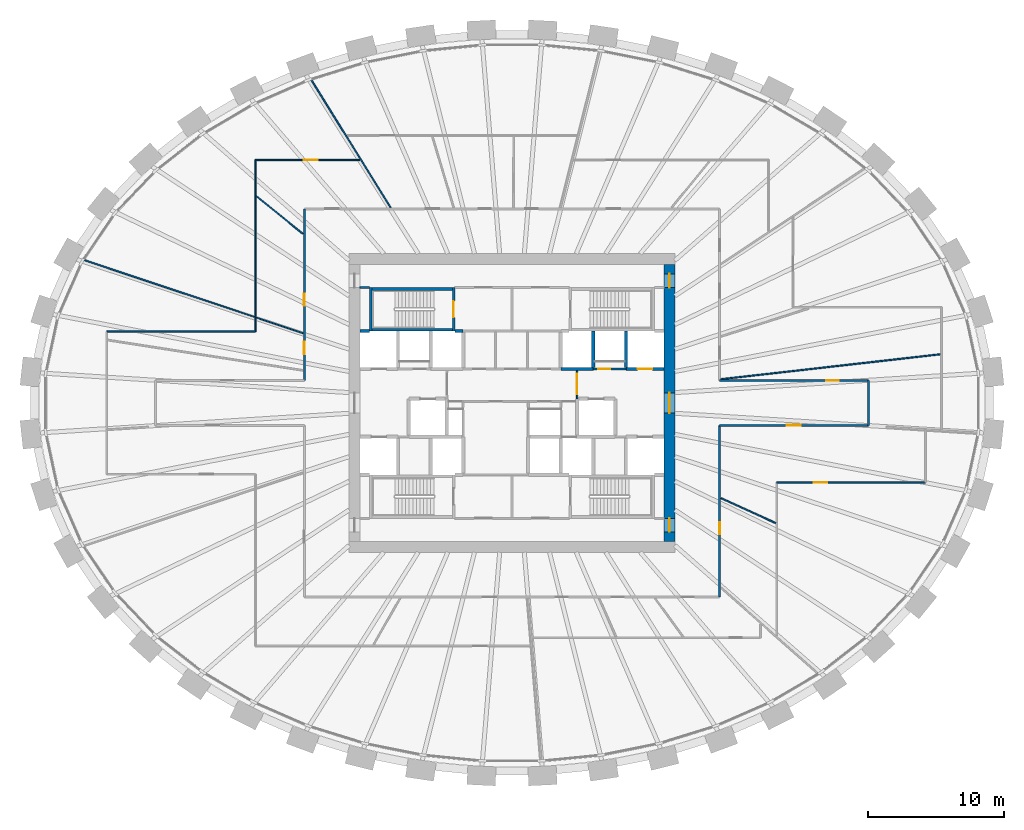
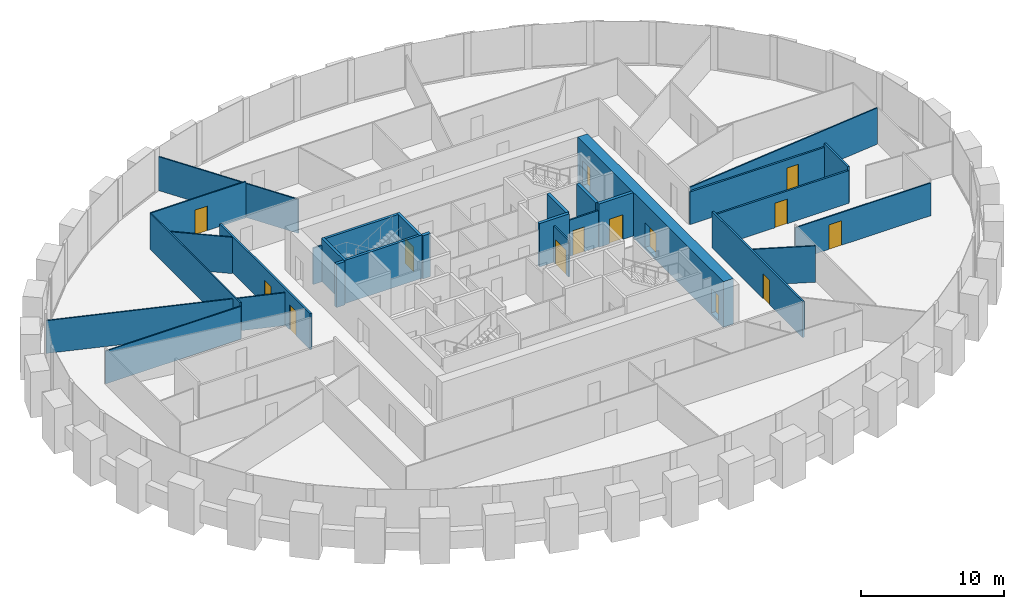
# One storey, part 8 of 11: 28 walls, 14 doors, 14 openings.
"""IFC4 building model written with IfcOpenShell, lengths in metres."""

from ifc_helpers import new_model, si_unit, direction, frame, frame_2d, origin, place, context, subcontext, project, spatial, rectangle, extrude, source, transform, mapped, material, layer, layer_set, type_object, element, fill, save


model = new_model("IFC4")

# Units and contexts
model_context = context("Model", 3, precision=1e-05, world=origin(), true_north=direction((0.0, 1.0)))
body_context = subcontext(model_context, "Body", "Model", "MODEL_VIEW")
ifc_project = project(units=[si_unit("LENGTHUNIT", "METRE"), si_unit("AREAUNIT", "SQUARE_METRE"), si_unit("VOLUMEUNIT", "CUBIC_METRE"), si_unit("PLANEANGLEUNIT", "RADIAN"), si_unit("MASSUNIT", "GRAM", prefix="KILO")], contexts=[model_context])

# Site, building, storey
site_placement = place(None, origin())
site = spatial("IfcSite", under=ifc_project, at=site_placement, CompositionType="ELEMENT")
building_placement = place(site_placement, origin())
building = spatial("IfcBuilding", under=site, at=building_placement, Name="Embergate Tower", CompositionType="ELEMENT")
storey_placement = place(building_placement, frame((0.0, 0.0, 215.10009765625)))
storey = spatial("IfcBuildingStorey", under=building, at=storey_placement, Name="L49", CompositionType="ELEMENT", Elevation=215.10009765625)

# Wall, openings, doors
ifc_material_1 = material(Name="Concrete C70", Category="concrete")
ifc_layer_1 = layer(ifc_material_1, 0.800048828125)
ifc_layer_set_1 = layer_set([ifc_layer_1], Name="Concrete C70")
wall_type_1 = type_object("IfcWallType", Name="Core outer wall C70 800", PredefinedType="SHEAR", material=ifc_layer_set_1)
shared_shape_1 = source(origin(), body_context, "Body", "SweptSolid", [
    extrude(rectangle(XDim=20.39990234375, YDim=0.800048828125, at=frame_2d((10.199951171875, 0.0))), origin(), (0.0, 0.0, 1.0), 3.900146484375),
])
wall_1_placement = place(storey_placement, frame((11.60009765625, -10.199951171875, -0.2001953125), z_axis=(0.0, 0.0, 1.0), x_axis=(0.0, 1.0, 0.0)))
wall_1 = element("IfcWall", 1, at=wall_1_placement, inside=storey, type_object=wall_type_1, Name="CW-L49-E", PredefinedType="SHEAR", context=body_context, shape_type="MappedRepresentation", body=[
    mapped(shared_shape_1, transform((0.0, 0.0, 0.0))),
])
shared_shape_2 = source(origin(), body_context, "Body", "SweptSolid", [
    extrude(rectangle(XDim=1.0, YDim=2.10009765625, at=frame_2d((0.5, 1.050048828125))), frame((0.0, 0.409912109375, 0.0), z_axis=(0.0, -1.0, 0.0), x_axis=(1.0, 0.0, 0.0)), (0.0, 0.0, 1.0), 0.820068359375),
])
opening_1_placement = place(wall_1_placement, frame((18.699951171875, 0.0, 0.199951171875)))
opening_1 = element("IfcOpeningElement", 2, at=opening_1_placement, cuts=wall_1, Name="Opening IF-1d", PredefinedType="OPENING", context=body_context, shape_type="MappedRepresentation", body=[
    mapped(shared_shape_2, transform((0.0, 0.0, 0.0))),
])
opening_2_placement = place(wall_1_placement, frame((0.699951171875, 0.0, 0.199951171875)))
opening_2 = element("IfcOpeningElement", 3, at=opening_2_placement, cuts=wall_1, Name="Opening IF-1d", PredefinedType="OPENING", context=body_context, shape_type="MappedRepresentation", body=[
    mapped(shared_shape_2, transform((0.0, 0.0, 0.0))),
])
shared_shape_3 = source(origin(), body_context, "Body", "SweptSolid", [
    extrude(rectangle(XDim=1.5, YDim=2.10009765625, at=frame_2d((0.75, 1.050048828125))), frame((0.0, 0.409912109375, 0.0), z_axis=(0.0, -1.0, 0.0), x_axis=(1.0, 0.0, 0.0)), (0.0, 0.0, 1.0), 0.820068359375),
])
opening_3_placement = place(wall_1_placement, frame((9.449951171875, 0.0, 0.199951171875)))
opening_3 = element("IfcOpeningElement", 4, at=opening_3_placement, cuts=wall_1, Name="Opening IF-3", PredefinedType="OPENING", context=body_context, shape_type="MappedRepresentation", body=[
    mapped(shared_shape_3, transform((0.0, 0.0, 0.0))),
])
ifc_material_2 = material(Name="Lobby fire door pair 1500")
door_type_1 = type_object("IfcDoorType", Name="Lobby fire door pair 1500", OperationType="DOUBLE_DOOR_SINGLE_SWING", PredefinedType="DOOR", material=ifc_material_2)
shared_shape_4 = source(origin(), body_context, "Body", "SweptSolid", [
    extrude(rectangle(XDim=1.5, YDim=2.10009765625, at=frame_2d((0.75, 1.050048828125))), frame((0.0, 0.02490234375, 0.0), z_axis=(0.0, -1.0, 0.0), x_axis=(1.0, 0.0, 0.0)), (0.0, 0.0, 1.0), 0.050048828125),
])
door_1_placement = place(opening_3_placement, origin())
door_1 = element("IfcDoor", 5, at=door_1_placement, inside=storey, type_object=door_type_1, Name="IF-3 door", OperationType="DOUBLE_DOOR_SINGLE_SWING", OverallHeight=2.10009765625, OverallWidth=1.5, PredefinedType="DOOR", context=body_context, shape_type="MappedRepresentation", body=[
    mapped(shared_shape_4, transform((0.0, 0.0, 0.0))),
])
fill(opening_3, door_1)
ifc_material_3 = material(Name="Escape fire door 1000")
door_type_2 = type_object("IfcDoorType", Name="Escape fire door 1000", OperationType="SINGLE_SWING_LEFT", PredefinedType="DOOR", material=ifc_material_3)
shared_shape_5 = source(origin(), body_context, "Body", "SweptSolid", [
    extrude(rectangle(XDim=1.0, YDim=2.10009765625, at=frame_2d((0.5, 1.050048828125))), frame((0.0, 0.02490234375, 0.0), z_axis=(0.0, -1.0, 0.0), x_axis=(1.0, 0.0, 0.0)), (0.0, 0.0, 1.0), 0.050048828125),
])
door_2_placement = place(opening_1_placement, origin())
door_2 = element("IfcDoor", 6, at=door_2_placement, inside=storey, type_object=door_type_2, Name="IF-1 door", OperationType="SINGLE_SWING_RIGHT", OverallHeight=2.10009765625, OverallWidth=1.0, PredefinedType="DOOR", context=body_context, shape_type="MappedRepresentation", body=[
    mapped(shared_shape_5, transform((0.0, 0.0, 0.0))),
])
fill(opening_1, door_2)
door_3_placement = place(opening_2_placement, origin())
door_3 = element("IfcDoor", 7, at=door_3_placement, inside=storey, type_object=door_type_2, Name="IF-1 door", OperationType="SINGLE_SWING_RIGHT", OverallHeight=2.10009765625, OverallWidth=1.0, PredefinedType="DOOR", context=body_context, shape_type="MappedRepresentation", body=[
    mapped(shared_shape_5, transform((0.0, 0.0, 0.0))),
])
fill(opening_2, door_3)

# Walls
ifc_material_4 = material(Name="Concrete C50", Category="concrete")
ifc_layer_2 = layer(ifc_material_4, 0.25)
ifc_layer_set_2 = layer_set([ifc_layer_2], Name="Concrete C50")
wall_type_2 = type_object("IfcWallType", Name="Hoistway wall reinforced concrete 250", PredefinedType="SHEAR", material=ifc_layer_set_2)
shared_shape_6 = source(origin(), body_context, "Body", "SweptSolid", [
    extrude(rectangle(XDim=2.675048828125, YDim=0.25, at=frame_2d((1.33740234375, 0.0))), origin(), (0.0, 0.0, 1.0), 3.699951171875),
])
for number, where, z_axis, x_axis, name in (
    (8, (6.0, 2.625, 0.0), (0.0, 0.0, 1.0), (0.0, 1.0, 0.0), "HW-1 wall"),
    (9, (8.39990234375, 2.625, 0.0), (0.0, 0.0, 1.0), (0.0, 1.0, 0.0), "HW-1 wall"),
):
    element("IfcWall", number, at=place(storey_placement, frame(where, z_axis=z_axis, x_axis=x_axis)), inside=storey, type_object=wall_type_2, Name=name, PredefinedType="SHEAR", context=body_context, shape_type="MappedRepresentation", body=[
        mapped(shared_shape_6, transform((0.0, 0.0, 0.0))),
    ])
ifc_layer_3 = layer(ifc_material_4, 0.199951171875)
ifc_layer_set_3 = layer_set([ifc_layer_3], Name="Concrete C50")
wall_type_3 = type_object("IfcWallType", Name="Stair enclosure wall reinforced concrete 250", PredefinedType="SHEAR", material=ifc_layer_set_3)
shared_shape_7 = source(origin(), body_context, "Body", "SweptSolid", [
    extrude(rectangle(XDim=6.300048828125, YDim=0.199951171875, at=frame_2d((3.14990234375, 0.0))), origin(), (0.0, 0.0, 1.0), 3.699951171875),
])
for number, where, z_axis, x_axis, name in (
    (10, (-4.199951171875, 5.39990234375, 0.0), (0.0, 0.0, 1.0), (-1.0, 0.0, 0.0), "SE-1 wall"),
    (11, (-4.199951171875, 8.39990234375, 0.0), (0.0, 0.0, 1.0), (-1.0, 0.0, 0.0), "SE-1 wall"),
):
    element("IfcWall", number, at=place(storey_placement, frame(where, z_axis=z_axis, x_axis=x_axis)), inside=storey, type_object=wall_type_3, Name=name, PredefinedType="SHEAR", context=body_context, shape_type="MappedRepresentation", body=[
        mapped(shared_shape_7, transform((0.0, 0.0, 0.0))),
    ])

# Wall, opening, door
shared_shape_8 = source(origin(), body_context, "Body", "SweptSolid", [
    extrude(rectangle(XDim=3.199951171875, YDim=0.199951171875, at=frame_2d((1.60009765625, 0.0))), origin(), (0.0, 0.0, 1.0), 3.699951171875),
])
wall_2_placement = place(storey_placement, frame((-4.300048828125, 5.300048828125, 0.0), z_axis=(0.0, 0.0, 1.0), x_axis=(0.0, 1.0, 0.0)))
wall_2 = element("IfcWall", 12, at=wall_2_placement, inside=storey, type_object=wall_type_3, Name="SE-1 wall", PredefinedType="SHEAR", context=body_context, shape_type="MappedRepresentation", body=[
    mapped(shared_shape_8, transform((0.0, 0.0, 0.0))),
])
shared_shape_9 = source(origin(), body_context, "Body", "SweptSolid", [
    extrude(rectangle(XDim=1.199951171875, YDim=2.10009765625, at=frame_2d((0.60009765625, 1.050048828125))), frame((0.0, 0.10986328125, 0.0), z_axis=(0.0, -1.0, 0.0), x_axis=(1.0, 0.0, 0.0)), (0.0, 0.0, 1.0), 0.219970703125),
])
opening_4_placement = place(wall_2_placement, frame((1.0, 0.0, 0.0)))
opening_4 = element("IfcOpeningElement", 13, at=opening_4_placement, cuts=wall_2, Name="Opening IF-2", PredefinedType="OPENING", context=body_context, shape_type="MappedRepresentation", body=[
    mapped(shared_shape_9, transform((0.0, 0.0, 0.0))),
])
ifc_material_5 = material(Name="Stair enclosure door 1200")
door_type_3 = type_object("IfcDoorType", Name="Stair enclosure door 1200", OperationType="SINGLE_SWING_LEFT", PredefinedType="DOOR", material=ifc_material_5)
shared_shape_10 = source(origin(), body_context, "Body", "SweptSolid", [
    extrude(rectangle(XDim=1.199951171875, YDim=2.10009765625, at=frame_2d((0.60009765625, 1.050048828125))), frame((0.0, 0.02490234375, 0.0), z_axis=(0.0, -1.0, 0.0), x_axis=(1.0, 0.0, 0.0)), (0.0, 0.0, 1.0), 0.050048828125),
])
door_4_placement = place(opening_4_placement, origin())
door_4 = element("IfcDoor", 14, at=door_4_placement, inside=storey, type_object=door_type_3, Name="IF-2 door", OperationType="SINGLE_SWING_LEFT", OverallHeight=2.10009765625, OverallWidth=1.199951171875, PredefinedType="DOOR", context=body_context, shape_type="MappedRepresentation", body=[
    mapped(shared_shape_10, transform((0.0, 0.0, 0.0))),
])
fill(opening_4, door_4)

# Wall
shared_shape_11 = source(origin(), body_context, "Body", "SweptSolid", [
    extrude(rectangle(XDim=2.39990234375, YDim=0.25, at=frame_2d((1.199951171875, 0.0))), origin(), (0.0, 0.0, 1.0), 3.699951171875),
])
wall_3_placement = place(storey_placement, frame((3.60009765625, 2.5, 0.0), z_axis=(0.0, 0.0, 1.0), x_axis=(1.0, 0.0, 0.0)))
element("IfcWall", 15, at=wall_3_placement, inside=storey, type_object=wall_type_2, Name="HW-1 wall", PredefinedType="SHEAR", context=body_context, shape_type="MappedRepresentation", body=[
    mapped(shared_shape_11, transform((0.0, 0.0, 0.0))),
])

# Wall, opening, door
ifc_material_6 = material(Name="Core partition blockwork 120")
ifc_layer_4 = layer(ifc_material_6, 0.1201171875)
ifc_layer_set_4 = layer_set([ifc_layer_4], Name="Core partition blockwork 120")
wall_type_4 = type_object("IfcWallType", Name="Core partition blockwork 120", PredefinedType="PARTITIONING", material=ifc_layer_set_4)
shared_shape_12 = source(origin(), body_context, "Body", "SweptSolid", [
    extrude(rectangle(XDim=2.074951171875, YDim=0.1201171875, at=frame_2d((1.03759765625, 0.0))), origin(), (0.0, 0.0, 1.0), 3.099853515625),
])
wall_4_placement = place(storey_placement, frame((4.800048828125, 0.300048828125, 0.0), z_axis=(0.0, 0.0, 1.0), x_axis=(0.0, 1.0, 0.0)))
wall_4 = element("IfcWall", 16, at=wall_4_placement, inside=storey, type_object=wall_type_4, Name="IP-3 wall", PredefinedType="PARTITIONING", context=body_context, shape_type="MappedRepresentation", body=[
    mapped(shared_shape_12, transform((0.0, 0.0, 0.0))),
])
shared_shape_13 = source(origin(), body_context, "Body", "SweptSolid", [
    extrude(rectangle(XDim=1.5, YDim=2.10009765625, at=frame_2d((0.75, 1.050048828125))), frame((0.0, 0.070068359375, 0.0), z_axis=(0.0, -1.0, 0.0), x_axis=(1.0, 0.0, 0.0)), (0.0, 0.0, 1.0), 0.14013671875),
])
opening_5_placement = place(wall_4_placement, frame((0.35009765625, 0.0, 0.0)))
opening_5 = element("IfcOpeningElement", 17, at=opening_5_placement, cuts=wall_4, Name="Opening IF-3", PredefinedType="OPENING", context=body_context, shape_type="MappedRepresentation", body=[
    mapped(shared_shape_13, transform((0.0, 0.0, 0.0))),
])
door_5_placement = place(opening_5_placement, origin())
door_5 = element("IfcDoor", 18, at=door_5_placement, inside=storey, type_object=door_type_1, Name="IF-3 door", OperationType="DOUBLE_DOOR_SINGLE_SWING", OverallHeight=2.10009765625, OverallWidth=1.5, PredefinedType="DOOR", context=body_context, shape_type="MappedRepresentation", body=[
    mapped(shared_shape_4, transform((0.0, 0.0, 0.0))),
])
fill(opening_5, door_5)

shared_shape_14 = source(origin(), body_context, "Body", "SweptSolid", [
    extrude(rectangle(XDim=2.800048828125, YDim=0.25, at=frame_2d((1.39990234375, 0.0))), origin(), (0.0, 0.0, 1.0), 3.699951171875),
])
wall_5_placement = place(storey_placement, frame((8.39990234375, 2.5, 0.0), z_axis=(0.0, 0.0, 1.0), x_axis=(1.0, 0.0, 0.0)))
wall_5 = element("IfcWall", 19, at=wall_5_placement, inside=storey, type_object=wall_type_2, Name="HW-1 wall", PredefinedType="SHEAR", context=body_context, shape_type="MappedRepresentation", body=[
    mapped(shared_shape_14, transform((0.0, 0.0, 0.0))),
])
shared_shape_15 = source(origin(), body_context, "Body", "SweptSolid", [
    extrude(rectangle(XDim=1.10009765625, YDim=2.10009765625, at=frame_2d((0.550048828125, 1.050048828125))), frame((0.0, 0.135009765625, 0.0), z_axis=(0.0, -1.0, 0.0), x_axis=(1.0, 0.0, 0.0)), (0.0, 0.0, 1.0), 0.27001953125),
])
opening_6_placement = place(wall_5_placement, frame((0.85009765625, 0.0, 0.0)))
opening_6 = element("IfcOpeningElement", 20, at=opening_6_placement, cuts=wall_5, Name="Opening LD", PredefinedType="OPENING", context=body_context, shape_type="MappedRepresentation", body=[
    mapped(shared_shape_15, transform((0.0, 0.0, 0.0))),
])
ifc_material_7 = material(Name="Landing door sliding 1100")
door_type_4 = type_object("IfcDoorType", Name="Landing door sliding 1100", OperationType="SLIDING_TO_LEFT", PredefinedType="DOOR", material=ifc_material_7)
shared_shape_16 = source(origin(), body_context, "Body", "SweptSolid", [
    extrude(rectangle(XDim=1.10009765625, YDim=2.10009765625, at=frame_2d((0.550048828125, 1.050048828125))), frame((0.0, 0.02490234375, 0.0), z_axis=(0.0, -1.0, 0.0), x_axis=(1.0, 0.0, 0.0)), (0.0, 0.0, 1.0), 0.050048828125),
])
door_6_placement = place(opening_6_placement, origin())
door_6 = element("IfcDoor", 21, at=door_6_placement, inside=storey, type_object=door_type_4, Name="LD door", OperationType="SLIDING_TO_LEFT", OverallHeight=2.10009765625, OverallWidth=1.10009765625, PredefinedType="DOOR", context=body_context, shape_type="MappedRepresentation", body=[
    mapped(shared_shape_16, transform((0.0, 0.0, 0.0))),
])
fill(opening_6, door_6)

# Walls
shared_shape_17 = source(origin(), body_context, "Body", "SweptSolid", [
    extrude(rectangle(XDim=0.599853515625, YDim=0.25, at=frame_2d((0.2998046875, 0.0))), origin(), (0.0, 0.0, 1.0), 3.699951171875),
])
wall_6_placement = place(storey_placement, frame((-3.60009765625, 5.300048828125, 0.0), z_axis=(0.0, 0.0, 1.0), x_axis=(-1.0, 0.0, 0.0)))
element("IfcWall", 22, at=wall_6_placement, inside=storey, type_object=wall_type_2, Name="HW-1 wall", PredefinedType="SHEAR", context=body_context, shape_type="MappedRepresentation", body=[
    mapped(shared_shape_17, transform((0.0, 0.0, 0.0))),
])
shared_shape_18 = source(origin(), body_context, "Body", "SweptSolid", [
    extrude(rectangle(XDim=3.196044921875, YDim=0.199951171875, at=frame_2d((1.59814453125, 0.0))), origin(), (0.0, 0.0, 1.0), 3.699951171875),
])
wall_7_placement = place(storey_placement, frame((-10.39990234375, 8.498046875, 0.0), z_axis=(0.0, 0.0, 1.0), x_axis=(0.0, -1.0, 0.0)))
element("IfcWall", 23, at=wall_7_placement, inside=storey, type_object=wall_type_3, Name="SE-1 wall", PredefinedType="SHEAR", context=body_context, shape_type="MappedRepresentation", body=[
    mapped(shared_shape_18, transform((0.0, 0.0, 0.0))),
])
shared_shape_19 = source(origin(), body_context, "Body", "SweptSolid", [
    extrude(rectangle(XDim=0.697998046875, YDim=0.25, at=frame_2d((0.34912109375, 0.0))), origin(), (0.0, 0.0, 1.0), 3.699951171875),
])
wall_8_placement = place(storey_placement, frame((-10.501953125, 5.300048828125, 0.0), z_axis=(0.0, 0.0, 1.0), x_axis=(-1.0, 0.0, 0.0)))
element("IfcWall", 24, at=wall_8_placement, inside=storey, type_object=wall_type_2, Name="HW-1 wall", PredefinedType="SHEAR", context=body_context, shape_type="MappedRepresentation", body=[
    mapped(shared_shape_19, transform((0.0, 0.0, 0.0))),
])

# Wall, opening, door
shared_shape_20 = source(origin(), body_context, "Body", "SweptSolid", [
    extrude(rectangle(XDim=2.39990234375, YDim=0.1201171875, at=frame_2d((1.199951171875, 0.0))), origin(), (0.0, 0.0, 1.0), 3.099853515625),
])
wall_9_placement = place(storey_placement, frame((6.0, 2.5, 0.0), z_axis=(0.0, 0.0, 1.0), x_axis=(1.0, 0.0, 0.0)))
wall_9 = element("IfcWall", 25, at=wall_9_placement, inside=storey, type_object=wall_type_4, Name="IP-3 wall", PredefinedType="PARTITIONING", context=body_context, shape_type="MappedRepresentation", body=[
    mapped(shared_shape_20, transform((0.0, 0.0, 0.0))),
])
shared_shape_21 = source(origin(), body_context, "Body", "SweptSolid", [
    extrude(rectangle(XDim=0.89990234375, YDim=2.10009765625, at=frame_2d((0.449951171875, 1.050048828125))), frame((0.0, 0.070068359375, 0.0), z_axis=(0.0, -1.0, 0.0), x_axis=(1.0, 0.0, 0.0)), (0.0, 0.0, 1.0), 0.14013671875),
])
opening_7_placement = place(wall_9_placement, frame((0.35009765625, 0.0, 0.0)))
opening_7 = element("IfcOpeningElement", 26, at=opening_7_placement, cuts=wall_9, Name="Opening ID-1", PredefinedType="OPENING", context=body_context, shape_type="MappedRepresentation", body=[
    mapped(shared_shape_21, transform((0.0, 0.0, 0.0))),
])
ifc_material_8 = material(Name="Interior door 900")
door_type_5 = type_object("IfcDoorType", Name="Interior door 900", OperationType="SINGLE_SWING_LEFT", PredefinedType="DOOR", material=ifc_material_8)
shared_shape_22 = source(origin(), body_context, "Body", "SweptSolid", [
    extrude(rectangle(XDim=0.89990234375, YDim=2.10009765625, at=frame_2d((0.449951171875, 1.050048828125))), frame((0.0, 0.02490234375, 0.0), z_axis=(0.0, -1.0, 0.0), x_axis=(1.0, 0.0, 0.0)), (0.0, 0.0, 1.0), 0.050048828125),
])
door_7_placement = place(opening_7_placement, origin())
door_7 = element("IfcDoor", 27, at=door_7_placement, inside=storey, type_object=door_type_5, Name="ID-1 door", OperationType="SINGLE_SWING_LEFT", OverallHeight=2.10009765625, OverallWidth=0.89990234375, PredefinedType="DOOR", context=body_context, shape_type="MappedRepresentation", body=[
    mapped(shared_shape_22, transform((0.0, 0.0, 0.0))),
])
fill(opening_7, door_7)

# Wall
shared_shape_23 = source(origin(), body_context, "Body", "SweptSolid", [
    extrude(rectangle(XDim=0.697998046875, YDim=0.1201171875, at=frame_2d((0.34912109375, 0.0))), origin(), (0.0, 0.0, 1.0), 3.099853515625),
])
wall_10_placement = place(storey_placement, frame((-11.199951171875, 8.5, 0.0), z_axis=(0.0, 0.0, 1.0), x_axis=(1.0, 0.0, 0.0)))
element("IfcWall", 28, at=wall_10_placement, inside=storey, type_object=wall_type_4, Name="IP-3 wall", PredefinedType="PARTITIONING", context=body_context, shape_type="MappedRepresentation", body=[
    mapped(shared_shape_23, transform((0.0, 0.0, 0.0))),
])

# Wall, opening, door
ifc_material_9 = material(Name="Corridor wall dry-lined 150")
ifc_layer_5 = layer(ifc_material_9, 0.14990234375)
ifc_layer_set_5 = layer_set([ifc_layer_5], Name="Corridor wall dry-lined 150")
wall_type_5 = type_object("IfcWallType", Name="Corridor wall dry-lined 150", PredefinedType="PARTITIONING", material=ifc_layer_set_5)
shared_shape_24 = source(origin(), body_context, "Body", "SweptSolid", [
    extrude(rectangle(XDim=10.949951171875, YDim=0.14990234375, at=frame_2d((5.47509765625, 0.0))), origin(), (0.0, 0.0, 1.0), 2.7998046875),
])
wall_11_placement = place(storey_placement, frame((15.300048828125, -1.64990234375, 0.0), z_axis=(0.0, 0.0, 1.0), x_axis=(1.0, 0.0, 0.0)))
wall_11 = element("IfcWall", 29, at=wall_11_placement, inside=storey, type_object=wall_type_5, Name="IP-2 wall", PredefinedType="PARTITIONING", context=body_context, shape_type="MappedRepresentation", body=[
    mapped(shared_shape_24, transform((0.0, 0.0, 0.0))),
])
shared_shape_25 = source(origin(), body_context, "Body", "SweptSolid", [
    extrude(rectangle(XDim=1.0, YDim=2.10009765625, at=frame_2d((0.5, 1.050048828125))), frame((0.0, 0.0849609375, 0.0), z_axis=(0.0, -1.0, 0.0), x_axis=(1.0, 0.0, 0.0)), (0.0, 0.0, 1.0), 0.169921875),
])
opening_8_placement = place(wall_11_placement, frame((4.9560546875, 0.0, 0.0)))
opening_8 = element("IfcOpeningElement", 30, at=opening_8_placement, cuts=wall_11, Name="Opening ID-2", PredefinedType="OPENING", context=body_context, shape_type="MappedRepresentation", body=[
    mapped(shared_shape_25, transform((0.0, 0.0, 0.0))),
])
ifc_material_10 = material(Name="Interior door 1000")
door_type_6 = type_object("IfcDoorType", Name="Interior door 1000", OperationType="SINGLE_SWING_LEFT", PredefinedType="DOOR", material=ifc_material_10)
door_8_placement = place(opening_8_placement, origin())
door_8 = element("IfcDoor", 31, at=door_8_placement, inside=storey, type_object=door_type_6, Name="ID-2 door", OperationType="SINGLE_SWING_LEFT", OverallHeight=2.10009765625, OverallWidth=1.0, PredefinedType="DOOR", context=body_context, shape_type="MappedRepresentation", body=[
    mapped(shared_shape_5, transform((0.0, 0.0, 0.0))),
])
fill(opening_8, door_8)

wall_12_placement = place(storey_placement, frame((26.25, 1.64990234375, 0.0), z_axis=(0.0, 0.0, 1.0), x_axis=(-1.0, 0.0, 0.0)))
wall_12 = element("IfcWall", 32, at=wall_12_placement, inside=storey, type_object=wall_type_5, Name="IP-2 wall", PredefinedType="PARTITIONING", context=body_context, shape_type="MappedRepresentation", body=[
    mapped(shared_shape_24, transform((0.0, 0.0, 0.0))),
])
shared_shape_26 = source(origin(), body_context, "Body", "SweptSolid", [
    extrude(rectangle(XDim=0.89990234375, YDim=2.10009765625, at=frame_2d((0.449951171875, 1.050048828125))), frame((0.0, 0.0849609375, 0.0), z_axis=(0.0, -1.0, 0.0), x_axis=(1.0, 0.0, 0.0)), (0.0, 0.0, 1.0), 0.169921875),
])
opening_9_placement = place(wall_12_placement, frame((2.18994140625, 0.0, 0.0)))
opening_9 = element("IfcOpeningElement", 33, at=opening_9_placement, cuts=wall_12, Name="Opening IF-1c", PredefinedType="OPENING", context=body_context, shape_type="MappedRepresentation", body=[
    mapped(shared_shape_26, transform((0.0, 0.0, 0.0))),
])
ifc_material_11 = material(Name="Escape fire door 900")
door_type_7 = type_object("IfcDoorType", Name="Escape fire door 900", OperationType="SINGLE_SWING_LEFT", PredefinedType="DOOR", material=ifc_material_11)
door_9_placement = place(opening_9_placement, origin())
door_9 = element("IfcDoor", 34, at=door_9_placement, inside=storey, type_object=door_type_7, Name="IF-1 door", OperationType="SINGLE_SWING_RIGHT", OverallHeight=2.10009765625, OverallWidth=0.89990234375, PredefinedType="DOOR", context=body_context, shape_type="MappedRepresentation", body=[
    mapped(shared_shape_22, transform((0.0, 0.0, 0.0))),
])
fill(opening_9, door_9)

ifc_material_12 = material(Name="Partition dry-lined 100")
ifc_layer_6 = layer(ifc_material_12, 0.10009765625)
ifc_layer_set_6 = layer_set([ifc_layer_6], Name="Partition dry-lined 100")
wall_type_6 = type_object("IfcWallType", Name="Partition dry-lined 100", PredefinedType="PARTITIONING", material=ifc_layer_set_6)
shared_shape_27 = source(origin(), body_context, "Body", "SweptSolid", [
    extrude(rectangle(XDim=10.949951171875, YDim=0.10009765625, at=frame_2d((5.47509765625, 0.0))), origin(), (0.0, 0.0, 1.0), 2.7998046875),
])
wall_13_placement = place(storey_placement, frame((30.449951171875, -5.85009765625, 0.0), z_axis=(0.0, 0.0, 1.0), x_axis=(-1.0, 0.0, 0.0)))
wall_13 = element("IfcWall", 35, at=wall_13_placement, inside=storey, type_object=wall_type_6, Name="IP-1 wall", PredefinedType="PARTITIONING", context=body_context, shape_type="MappedRepresentation", body=[
    mapped(shared_shape_27, transform((0.0, 0.0, 0.0))),
])
shared_shape_28 = source(origin(), body_context, "Body", "SweptSolid", [
    extrude(rectangle(XDim=1.0, YDim=2.10009765625, at=frame_2d((0.5, 1.050048828125))), frame((0.0, 0.06005859375, 0.0), z_axis=(0.0, -1.0, 0.0), x_axis=(1.0, 0.0, 0.0)), (0.0, 0.0, 1.0), 0.1201171875),
])
opening_10_placement = place(wall_13_placement, frame((7.218994140625, 0.0, 0.0)))
opening_10 = element("IfcOpeningElement", 36, at=opening_10_placement, cuts=wall_13, Name="Opening ID-2", PredefinedType="OPENING", context=body_context, shape_type="MappedRepresentation", body=[
    mapped(shared_shape_28, transform((0.0, 0.0, 0.0))),
])
door_10_placement = place(opening_10_placement, origin())
door_10 = element("IfcDoor", 37, at=door_10_placement, inside=storey, type_object=door_type_6, Name="ID-2 door", OperationType="SINGLE_SWING_LEFT", OverallHeight=2.10009765625, OverallWidth=1.0, PredefinedType="DOOR", context=body_context, shape_type="MappedRepresentation", body=[
    mapped(shared_shape_5, transform((0.0, 0.0, 0.0))),
])
fill(opening_10, door_10)

ifc_material_13 = material(Name="Corridor wall dry-lined 150 wet")
ifc_layer_7 = layer(ifc_material_13, 0.14990234375)
ifc_layer_set_7 = layer_set([ifc_layer_7], Name="Corridor wall dry-lined 150 wet")
wall_type_7 = type_object("IfcWallType", Name="Corridor wall dry-lined 150 wet", PredefinedType="PLUMBINGWALL", material=ifc_layer_set_7)
shared_shape_29 = source(origin(), body_context, "Body", "SweptSolid", [
    extrude(rectangle(XDim=12.650146484375, YDim=0.14990234375, at=frame_2d((6.3251953125, 0.0))), origin(), (0.0, 0.0, 1.0), 3.099853515625),
])
wall_14_placement = place(storey_placement, frame((15.300048828125, -1.64990234375, 0.0), z_axis=(0.0, 0.0, 1.0), x_axis=(0.0, -1.0, 0.0)))
wall_14 = element("IfcWall", 38, at=wall_14_placement, inside=storey, type_object=wall_type_7, Name="IP-2 wall", PredefinedType="PLUMBINGWALL", context=body_context, shape_type="MappedRepresentation", body=[
    mapped(shared_shape_29, transform((0.0, 0.0, 0.0))),
])
opening_11_placement = place(wall_14_placement, frame((7.14111328125, 0.0, 0.0)))
opening_11 = element("IfcOpeningElement", 39, at=opening_11_placement, cuts=wall_14, Name="Opening IF-1c", PredefinedType="OPENING", context=body_context, shape_type="MappedRepresentation", body=[
    mapped(shared_shape_26, transform((0.0, 0.0, 0.0))),
])
door_11_placement = place(opening_11_placement, origin())
door_11 = element("IfcDoor", 40, at=door_11_placement, inside=storey, type_object=door_type_7, Name="IF-1 door", OperationType="SINGLE_SWING_RIGHT", OverallHeight=2.10009765625, OverallWidth=0.89990234375, PredefinedType="DOOR", context=body_context, shape_type="MappedRepresentation", body=[
    mapped(shared_shape_22, transform((0.0, 0.0, 0.0))),
])
fill(opening_11, door_11)

# Wall, openings, doors
wall_15_placement = place(storey_placement, frame((-15.300048828125, 1.64990234375, 0.0), z_axis=(0.0, 0.0, 1.0), x_axis=(0.0, 1.0, 0.0)))
wall_15 = element("IfcWall", 41, at=wall_15_placement, inside=storey, type_object=wall_type_5, Name="IP-2 wall", PredefinedType="PARTITIONING", context=body_context, shape_type="MappedRepresentation", body=[
    mapped(shared_shape_29, transform((0.0, 0.0, 0.0))),
])
opening_12_placement = place(wall_15_placement, frame((5.491943359375, 0.0, 0.0)))
opening_12 = element("IfcOpeningElement", 42, at=opening_12_placement, cuts=wall_15, Name="Opening IF-1c", PredefinedType="OPENING", context=body_context, shape_type="MappedRepresentation", body=[
    mapped(shared_shape_26, transform((0.0, 0.0, 0.0))),
])
opening_13_placement = place(wall_15_placement, frame((1.94091796875, 0.0, 0.0)))
opening_13 = element("IfcOpeningElement", 43, at=opening_13_placement, cuts=wall_15, Name="Opening IF-1c", PredefinedType="OPENING", context=body_context, shape_type="MappedRepresentation", body=[
    mapped(shared_shape_26, transform((0.0, 0.0, 0.0))),
])
door_12_placement = place(opening_12_placement, origin())
door_12 = element("IfcDoor", 44, at=door_12_placement, inside=storey, type_object=door_type_7, Name="IF-1 door", OperationType="SINGLE_SWING_LEFT", OverallHeight=2.10009765625, OverallWidth=0.89990234375, PredefinedType="DOOR", context=body_context, shape_type="MappedRepresentation", body=[
    mapped(shared_shape_22, transform((0.0, 0.0, 0.0))),
])
fill(opening_12, door_12)
door_13_placement = place(opening_13_placement, origin())
door_13 = element("IfcDoor", 45, at=door_13_placement, inside=storey, type_object=door_type_7, Name="IF-1 door", OperationType="SINGLE_SWING_RIGHT", OverallHeight=2.10009765625, OverallWidth=0.89990234375, PredefinedType="DOOR", context=body_context, shape_type="MappedRepresentation", body=[
    mapped(shared_shape_22, transform((0.0, 0.0, 0.0))),
])
fill(opening_13, door_13)

# Walls
shared_shape_30 = source(origin(), body_context, "Body", "SweptSolid", [
    extrude(rectangle(XDim=3.2998046875, YDim=0.14990234375, at=frame_2d((1.64990234375, 0.0))), origin(), (0.0, 0.0, 1.0), 3.099853515625),
])
wall_16_placement = place(storey_placement, frame((26.25, -1.64990234375, 0.0), z_axis=(0.0, 0.0, 1.0), x_axis=(0.0, 1.0, 0.0)))
element("IfcWall", 46, at=wall_16_placement, inside=storey, type_object=wall_type_5, Name="IP-2 wall", PredefinedType="PARTITIONING", context=body_context, shape_type="MappedRepresentation", body=[
    mapped(shared_shape_30, transform((0.0, 0.0, 0.0))),
])
shared_shape_31 = source(origin(), body_context, "Body", "SweptSolid", [
    extrude(rectangle(XDim=17.070556640625, YDim=0.10009765625, at=frame_2d((8.53515625, 0.0))), origin(), (0.0, 0.0, 1.0), 2.7998046875),
])
wall_17_placement = place(storey_placement, frame((-31.58203125, 10.550048828125, 0.0), z_axis=(0.0, 0.0, 1.0), x_axis=(0.948472850585, -0.316858409552, 0.0)))
element("IfcWall", 47, at=wall_17_placement, inside=storey, type_object=wall_type_6, Name="IP-1 wall", PredefinedType="PARTITIONING", context=body_context, shape_type="MappedRepresentation", body=[
    mapped(shared_shape_31, transform((0.0, 0.0, 0.0))),
])
shared_shape_32 = source(origin(), body_context, "Body", "SweptSolid", [
    extrude(rectangle(XDim=12.64990234375, YDim=0.10009765625, at=frame_2d((6.324951171875, 0.0))), origin(), (0.0, 0.0, 1.0), 3.099853515625),
])
wall_18_placement = place(storey_placement, frame((-18.89990234375, 17.89990234375, 0.0), z_axis=(0.0, 0.0, 1.0), x_axis=(0.0, -1.0, 0.0)))
element("IfcWall", 48, at=wall_18_placement, inside=storey, type_object=wall_type_6, Name="IP-1 wall", PredefinedType="PARTITIONING", context=body_context, shape_type="MappedRepresentation", body=[
    mapped(shared_shape_32, transform((0.0, 0.0, 0.0))),
])
shared_shape_33 = source(origin(), body_context, "Body", "SweptSolid", [
    extrude(rectangle(XDim=4.43212890625, YDim=0.10009765625, at=frame_2d((2.216064453125, 0.0))), origin(), (0.0, 0.0, 1.0), 3.099853515625),
])
wall_19_placement = place(storey_placement, frame((15.39599609375, -7.014892578125, 0.0), z_axis=(0.0, 0.0, 1.0), x_axis=(0.909943435568, -0.414732376439, 0.0)))
element("IfcWall", 49, at=wall_19_placement, inside=storey, type_object=wall_type_6, Name="IP-1 wall", PredefinedType="PARTITIONING", context=body_context, shape_type="MappedRepresentation", body=[
    mapped(shared_shape_33, transform((0.0, 0.0, 0.0))),
])
shared_shape_34 = source(origin(), body_context, "Body", "SweptSolid", [
    extrude(rectangle(XDim=16.317138671875, YDim=0.10009765625, at=frame_2d((8.15869140625, 0.0))), origin(), (0.0, 0.0, 1.0), 3.099853515625),
])
wall_20_placement = place(storey_placement, frame((31.593994140625, 3.5869140625, 0.0), z_axis=(0.0, 0.0, 1.0), x_axis=(-0.993615932245, -0.112815686802, 0.0)))
element("IfcWall", 50, at=wall_20_placement, inside=storey, type_object=wall_type_6, Name="IP-1 wall", PredefinedType="PARTITIONING", context=body_context, shape_type="MappedRepresentation", body=[
    mapped(shared_shape_34, transform((0.0, 0.0, 0.0))),
])
shared_shape_35 = source(origin(), body_context, "Body", "SweptSolid", [
    extrude(rectangle(XDim=11.11669921875, YDim=0.10009765625, at=frame_2d((5.558349609375, 0.0))), origin(), (0.0, 0.0, 1.0), 2.89990234375),
])
wall_21_placement = place(storey_placement, frame((-14.81298828125, 23.843994140625, 0.0), z_axis=(0.0, 0.0, 1.0), x_axis=(0.527669515851, -0.849449752511, 0.0)))
element("IfcWall", 51, at=wall_21_placement, inside=storey, type_object=wall_type_6, Name="IP-1 wall", PredefinedType="PARTITIONING", context=body_context, shape_type="MappedRepresentation", body=[
    mapped(shared_shape_35, transform((0.0, 0.0, 0.0))),
])
shared_shape_36 = source(origin(), body_context, "Body", "SweptSolid", [
    extrude(rectangle(XDim=4.389892578125, YDim=0.10009765625, at=frame_2d((2.19482421875, 0.0))), origin(), (0.0, 0.0, 1.0), 3.099853515625),
])
wall_22_placement = place(storey_placement, frame((-15.406005859375, 12.465087890625, 0.0), z_axis=(0.0, 0.0, 1.0), x_axis=(-0.77746628321, 0.62892462066, 0.0)))
element("IfcWall", 52, at=wall_22_placement, inside=storey, type_object=wall_type_6, Name="IP-1 wall", PredefinedType="PARTITIONING", context=body_context, shape_type="MappedRepresentation", body=[
    mapped(shared_shape_36, transform((0.0, 0.0, 0.0))),
])

# Wall, opening, door
shared_shape_37 = source(origin(), body_context, "Body", "SweptSolid", [
    extrude(rectangle(XDim=7.68896484375, YDim=0.10009765625, at=frame_2d((3.844482421875, 0.0))), origin(), (0.0, 0.0, 1.0), 3.099853515625),
])
wall_23_placement = place(storey_placement, frame((-11.2109375, 17.89990234375, 0.0), z_axis=(0.0, 0.0, 1.0), x_axis=(-1.0, 0.0, 0.0)))
wall_23 = element("IfcWall", 53, at=wall_23_placement, inside=storey, type_object=wall_type_6, Name="IP-1 wall", PredefinedType="PARTITIONING", context=body_context, shape_type="MappedRepresentation", body=[
    mapped(shared_shape_37, transform((0.0, 0.0, 0.0))),
])
opening_14_placement = place(wall_23_placement, frame((3.114501953125, 0.0, 0.0)))
opening_14 = element("IfcOpeningElement", 54, at=opening_14_placement, cuts=wall_23, Name="Opening ID-2", PredefinedType="OPENING", context=body_context, shape_type="MappedRepresentation", body=[
    mapped(shared_shape_28, transform((0.0, 0.0, 0.0))),
])
door_14_placement = place(opening_14_placement, origin())
door_14 = element("IfcDoor", 55, at=door_14_placement, inside=storey, type_object=door_type_6, Name="ID-2 door", OperationType="SINGLE_SWING_LEFT", OverallHeight=2.10009765625, OverallWidth=1.0, PredefinedType="DOOR", context=body_context, shape_type="MappedRepresentation", body=[
    mapped(shared_shape_5, transform((0.0, 0.0, 0.0))),
])
fill(opening_14, door_14)

# Wall
shared_shape_38 = source(origin(), body_context, "Body", "SweptSolid", [
    extrude(rectangle(XDim=10.9501953125, YDim=0.10009765625, at=frame_2d((5.47509765625, 0.0))), origin(), (0.0, 0.0, 1.0), 2.7998046875),
])
wall_24_placement = place(storey_placement, frame((-29.85009765625, 5.25, 0.0), z_axis=(0.0, 0.0, 1.0), x_axis=(1.0, 0.0, 0.0)))
element("IfcWall", 56, at=wall_24_placement, inside=storey, type_object=wall_type_6, Name="IP-1 wall", PredefinedType="PARTITIONING", context=body_context, shape_type="MappedRepresentation", body=[
    mapped(shared_shape_38, transform((0.0, 0.0, 0.0))),
])

save(model, "model.ifc")
